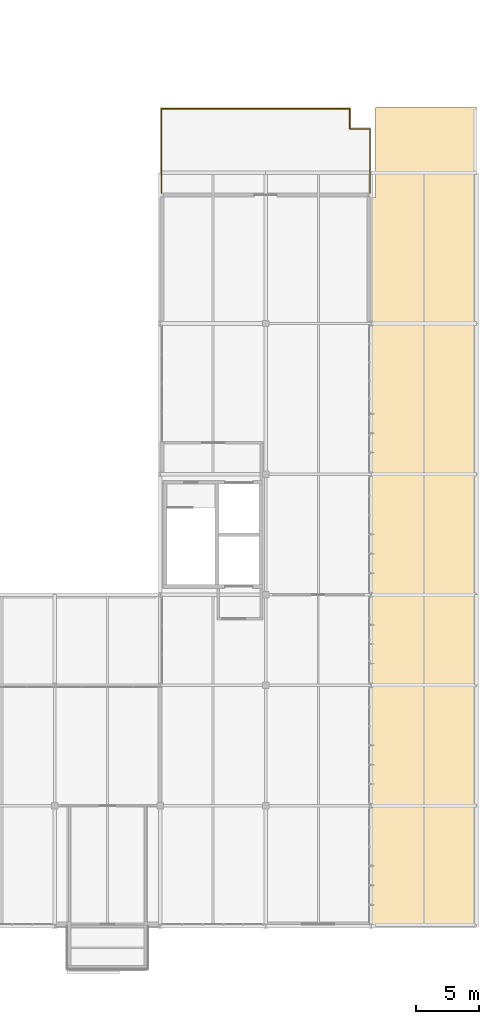
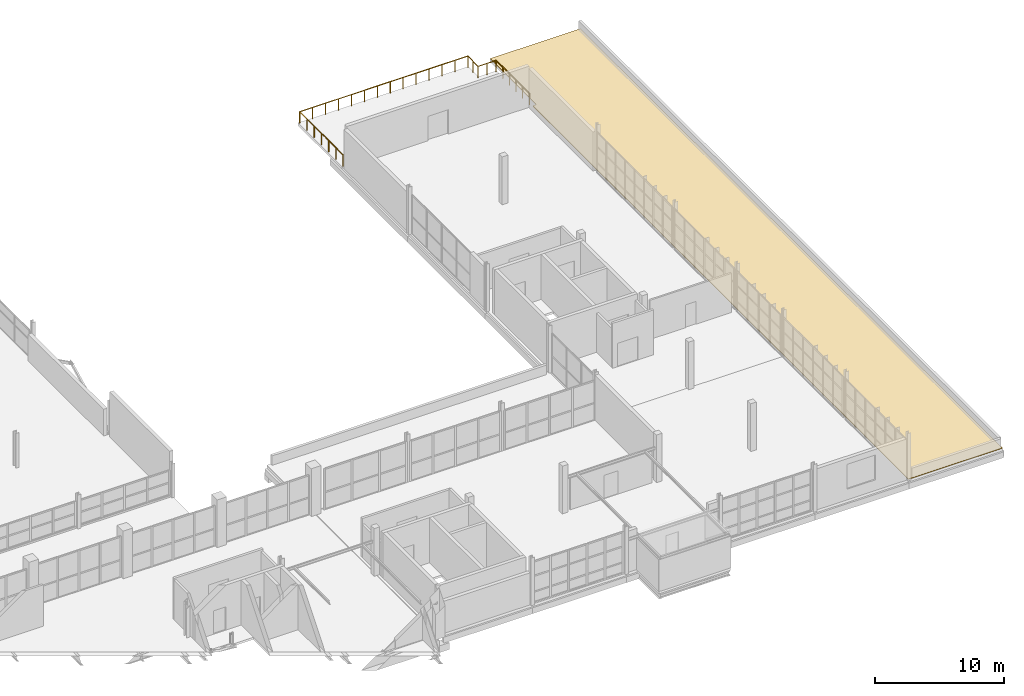
# One storey, part 103 of 103: 1 covering, 1 railing.
"""IFC4 building model written with IfcOpenShell, lengths in metres."""

import ifcopenshell
import ifcopenshell.guid

model = None  # the IFC model being written
_history = None  # IfcOwnerHistory: only IFC2X3 demands one
_inside = {}  # id of a spatial element -> (the spatial element, [elements in it])
_under = {}  # id of a project, library or spatial element -> (it, [spatial elements below it])
_declared = {}  # id of a project -> (the project, [libraries it declares])
_typed = {}  # id of a type object -> (the type object, [elements of that type])
_made_of = {}  # id of a material, layer set ... -> (it, [elements and type objects made of it])


def new_model(schema):
    """Start an empty IFC model of exactly this schema.

    Asked for "IFC4X3", IfcOpenShell would pick the latest addendum, in which some entities
    have other attributes; the version numbers below select the first issue.
    IFC2X3 requires an IfcOwnerHistory on every rooted entity: one is made here for all.
    """
    global model, _history
    if schema == "IFC4X3":
        model = ifcopenshell.file(schema_version=(4, 3, 0, 0))
    else:
        model = ifcopenshell.file(schema=schema)
    _inside.clear()
    _under.clear()
    _declared.clear()
    _typed.clear()
    _made_of.clear()
    _history = None
    if model.schema == "IFC2X3":
        org = make("IfcOrganization", Name="unknown")
        user = make(
            "IfcPersonAndOrganization",
            ThePerson=make("IfcPerson", FamilyName="unknown"),
            TheOrganization=org,
        )
        app = make(
            "IfcApplication",
            ApplicationDeveloper=org,
            Version="unknown",
            ApplicationFullName="unknown",
            ApplicationIdentifier="unknown",
        )
        _history = make(
            "IfcOwnerHistory",
            OwningUser=user,
            OwningApplication=app,
            ChangeAction="ADDED",
            CreationDate=0,
        )
    return model


def make(cls, **values):
    """One entity of the class cls with the attributes given. An attribute that is None is left unset."""
    return model.create_entity(
        cls, **{name: value for name, value in values.items() if value is not None}
    )


def rooted(cls, **values):
    """An entity with a GlobalId (a new one), such as an element, a storey or a relation."""
    return make(cls, GlobalId=ifcopenshell.guid.new(), OwnerHistory=_history, **values)


def si_unit(unit_type, name, prefix=None):
    """IfcSIUnit, for example si_unit("LENGTHUNIT", "METRE", prefix="MILLI")."""
    return make("IfcSIUnit", UnitType=unit_type, Prefix=prefix, Name=name)


def assignment(units):
    """IfcUnitAssignment: the units of a project."""
    return None if units is None else make("IfcUnitAssignment", Units=units)


def point(xyz):
    """IfcCartesianPoint."""
    return None if xyz is None else make("IfcCartesianPoint", Coordinates=xyz)


def direction(xyz):
    """IfcDirection."""
    return None if xyz is None else make("IfcDirection", DirectionRatios=xyz)


def frame(location, z_axis=None, x_axis=None):
    """IfcAxis2Placement3D, a coordinate frame: its origin and axes. An axis left out is left unset."""
    return make(
        "IfcAxis2Placement3D",
        Location=point(location),
        Axis=direction(z_axis),
        RefDirection=direction(x_axis),
    )


def frame_2d(location, x_axis=None):
    """IfcAxis2Placement2D, a coordinate frame in the plane: its origin and x axis."""
    return make(
        "IfcAxis2Placement2D", Location=point(location), RefDirection=direction(x_axis)
    )


def origin():
    """The frame at (0, 0, 0) with its axes left unset."""
    return frame((0.0, 0.0, 0.0))


def origin_2d():
    """The frame at (0, 0) in the plane with its x axis left unset."""
    return frame_2d((0.0, 0.0))


def place(relative_to, where):
    """IfcLocalPlacement: puts the frame where relative to a parent placement (None: the world)."""
    return make(
        "IfcLocalPlacement", PlacementRelTo=relative_to, RelativePlacement=where
    )


def context(
    kind, dimensions, precision=None, world=None, true_north=None, identifier=None
):
    """IfcGeometricRepresentationContext, for example the 3D "Model" context."""
    return make(
        "IfcGeometricRepresentationContext",
        ContextIdentifier=identifier,
        ContextType=kind,
        CoordinateSpaceDimension=dimensions,
        Precision=precision,
        WorldCoordinateSystem=world,
        TrueNorth=true_north,
    )


def subcontext(parent, identifier, kind, view, scale=None):
    """IfcGeometricRepresentationSubContext, for example "Body" below "Model"."""
    return make(
        "IfcGeometricRepresentationSubContext",
        ContextIdentifier=identifier,
        ContextType=kind,
        ParentContext=parent,
        TargetScale=scale,
        TargetView=view,
    )


def project(units=None, contexts=None):
    """IfcProject with its units and contexts."""
    return rooted(
        "IfcProject",
        Name="project",
        RepresentationContexts=contexts,
        UnitsInContext=assignment(units),
    )


def spatial(cls, under=None, at=None, **own):
    """A site, building, storey or space (cls), placed at a placement, below another one or the project."""
    s = rooted(cls, ObjectPlacement=at, **own)
    if under is not None:
        _under.setdefault(under.id(), (under, []))[1].append(s)
    return s


def polyline(points):
    """IfcPolyline through the points."""
    return make("IfcPolyline", Points=[point(p) for p in points])


def profile(cls, at=None, kind="AREA", **sizes):
    """A parametric profile (cls). Its sizes go by their IFC names, for example OverallWidth=200.0."""
    return make(cls, ProfileType=kind, Position=at, **sizes)


def circle(**sizes):
    """IfcCircleProfileDef."""
    return profile("IfcCircleProfileDef", **sizes)


def outline(outer, holes=None, kind="AREA"):
    """IfcArbitraryClosedProfileDef: a profile drawn as a closed curve; with holes, ...WithVoids."""
    if holes is None:
        return make("IfcArbitraryClosedProfileDef", ProfileType=kind, OuterCurve=outer)
    return make(
        "IfcArbitraryProfileDefWithVoids",
        ProfileType=kind,
        OuterCurve=outer,
        InnerCurves=holes,
    )


def extrude(swept, where, along, depth):
    """IfcExtrudedAreaSolid: the profile swept, set in the frame where, extruded along a direction by depth."""
    return make(
        "IfcExtrudedAreaSolid",
        SweptArea=swept,
        Position=where,
        ExtrudedDirection=direction(along),
        Depth=depth,
    )


def shape(context_of_items, identifier, shape_type, items):
    """IfcShapeRepresentation: the items that make up one representation, for example the "Body"."""
    return make(
        "IfcShapeRepresentation",
        ContextOfItems=context_of_items,
        RepresentationIdentifier=identifier,
        RepresentationType=shape_type,
        Items=items,
    )


def material(Name=None, Category=None):
    """IfcMaterial."""
    return make("IfcMaterial", Name=Name, Category=Category)


def layer(
    of_material, thickness, ventilated=None, Name=None, Category=None, Priority=None
):
    """IfcMaterialLayer: one layer of a wall or slab, of a material (None: an air gap)."""
    return make(
        "IfcMaterialLayer",
        Material=of_material,
        LayerThickness=thickness,
        IsVentilated=ventilated,
        Name=Name,
        Category=Category,
        Priority=Priority,
    )


def layer_set(layers, Name=None):
    """IfcMaterialLayerSet."""
    return make("IfcMaterialLayerSet", MaterialLayers=layers, LayerSetName=Name)


def made_of(thing, what):
    """Note that an element or type object is made of a material, layer set ...; save() writes the relation."""
    if what is not None:
        _made_of.setdefault(what.id(), (what, []))[1].append(thing)
    return thing


def type_object(cls, material=None, **own):
    """A type object (cls), such as IfcWallType, which elements share."""
    return made_of(rooted(cls, **own), material)


def element(
    cls,
    number,
    at=None,
    inside=None,
    cuts=None,
    type_object=None,
    material=None,
    context=None,
    identifier="Body",
    shape_type=None,
    held_by="IfcProductDefinitionShape",
    body=None,
    shapes=None,
    **own,
):
    """One element of the class cls, such as IfcWall. Its Tag is "e" and its number.

    at: its placement. inside: the storey or other place that contains it. cuts: it is an
    opening in that element (IfcRelVoidsElement). A single representation is given by context,
    identifier, shape_type and body (its items); several are given by shapes. held_by: the class
    of the entity that holds the representations. save() writes the other relations.
    """
    e = rooted(cls, Tag="e%d" % number, ObjectPlacement=at, **own)
    if body is not None:
        shapes = [shape(context, identifier, shape_type, body)]
    if shapes is not None:
        e.Representation = make(held_by, Representations=shapes)
    if inside is not None:
        _inside.setdefault(inside.id(), (inside, []))[1].append(e)
    if cuts is not None:
        rooted(
            "IfcRelVoidsElement", RelatingBuildingElement=cuts, RelatedOpeningElement=e
        )
    if type_object is not None:
        _typed.setdefault(type_object.id(), (type_object, []))[1].append(e)
    return made_of(e, material)


def aggregate(whole, parts):
    """IfcRelAggregates: a whole, such as a stair, and the parts it consists of."""
    return rooted("IfcRelAggregates", RelatingObject=whole, RelatedObjects=parts)


def save(model, path):
    """Write the relations noted so far, then the file.

    IfcRelAggregates (storeys below a building ...), IfcRelContainedInSpatialStructure (elements
    in a storey), IfcRelDefinesByType, IfcRelAssociatesMaterial and IfcRelDeclares: one each for
    every whole, place, type object, material and project.
    """
    for whole, parts in _under.values():
        aggregate(whole, parts)
    for where, things in _inside.values():
        rooted(
            "IfcRelContainedInSpatialStructure",
            RelatedElements=things,
            RelatingStructure=where,
        )
    for kind, things in _typed.values():
        rooted("IfcRelDefinesByType", RelatedObjects=things, RelatingType=kind)
    for what, things in _made_of.values():
        rooted("IfcRelAssociatesMaterial", RelatedObjects=things, RelatingMaterial=what)
    for by, libraries in _declared.values():
        rooted("IfcRelDeclares", RelatingContext=by, RelatedDefinitions=libraries)
    model.write(path)


model = new_model("IFC4")

# Units and contexts
model_context = context("Model", 3, precision=1e-05, world=origin(), true_north=direction((0.0, 1.0)))
body_context = subcontext(model_context, "Body", "Model", "MODEL_VIEW")
ifc_project = project(units=[si_unit("LENGTHUNIT", "METRE"), si_unit("AREAUNIT", "SQUARE_METRE"), si_unit("VOLUMEUNIT", "CUBIC_METRE"), si_unit("PLANEANGLEUNIT", "RADIAN"), si_unit("MASSUNIT", "GRAM", prefix="KILO")], contexts=[model_context])

# Site, building, storey
site_placement = place(None, origin())
site = spatial("IfcSite", under=ifc_project, at=site_placement, CompositionType="ELEMENT")
building_placement = place(site_placement, origin())
building = spatial("IfcBuilding", under=site, at=building_placement, Name="Veltarok Museum of Natural Sciences", CompositionType="ELEMENT")
storey_placement = place(building_placement, frame((0.0, 0.0, 21.89990234375)))
storey = spatial("IfcBuildingStorey", under=building, at=storey_placement, Name="L04", CompositionType="ELEMENT", Elevation=21.89990234375)

# Covering
ifc_material_1 = material(Name="EPDM waterproofing membrane")
ifc_layer = layer(ifc_material_1, 0.06005859375)
ifc_layer_set = layer_set([ifc_layer], Name="EPDM waterproofing membrane")
covering_type = type_object("IfcCoveringType", Name="EPDM Waterproofing and Acoustic Roof Membrane 60", PredefinedType="ROOFING", material=ifc_layer_set)
covering_placement = place(storey_placement, origin())
element("IfcCovering", 1, at=covering_placement, inside=storey, type_object=covering_type, Name="Roof Waterproofing RF-V5E", PredefinedType="ROOFING", context=body_context, shape_type="SweptSolid", body=[
    extrude(outline(polyline([(157.60009765625, 0.0), (149.219970703125, 0.0), (149.219970703125, 58.050048828125), (149.550048828125, 58.050048828125), (149.550048828125, 65.199951171875), (157.60009765625, 65.199951171875), (157.60009765625, 0.0)])), origin(), (0.0, 0.0, 1.0), 0.06005859375),
])

# Railing
ifc_material_2 = material(Name="Steel S355J2", Category="steel")
railing_type = type_object("IfcRailingType", Name="Outdoor Terrace Steel and Laminated Glass Guardrail 1100", PredefinedType="GUARDRAIL", material=ifc_material_2)
railing_placement = place(storey_placement, frame((132.5, 58.3798828125, 0.0)))
element("IfcRailing", 2, at=railing_placement, inside=storey, type_object=railing_type, Name="Terrace Guardrail TER-L04-N1", PredefinedType="GUARDRAIL", context=body_context, shape_type="SweptSolid", body=[
    extrude(circle(Radius=0.02490234375, at=origin_2d()), frame((0.0, 0.0, 1.0751953125), z_axis=(0.0, 1.0, 0.0), x_axis=(-1.0, 0.0, 0.0)), (0.0, 0.0, 1.0), 6.72021484375),
    extrude(circle(Radius=0.02490234375, at=origin_2d()), frame((0.0, 6.72021484375, 1.0751953125), z_axis=(1.0, 0.0, 0.0), x_axis=(0.0, 1.0, 0.0)), (0.0, 0.0, 1.0), 15.0),
    extrude(circle(Radius=0.02490234375, at=origin_2d()), frame((15.0, 6.72021484375, 1.0751953125), z_axis=(0.0, -1.0, 0.0), x_axis=(1.0, 0.0, 0.0)), (0.0, 0.0, 1.0), 1.60009765625),
    extrude(circle(Radius=0.02490234375, at=origin_2d()), frame((15.0, 5.1201171875, 1.0751953125), z_axis=(1.0, 0.0, 0.0), x_axis=(0.0, 1.0, 0.0)), (0.0, 0.0, 1.0), 1.60009765625),
    extrude(circle(Radius=0.02490234375, at=origin_2d()), frame((16.60009765625, 5.1201171875, 1.0751953125), z_axis=(0.0, -1.0, 0.0), x_axis=(1.0, 0.0, 0.0)), (0.0, 0.0, 1.0), 5.1201171875),
    extrude(circle(Radius=0.02099609375, at=origin_2d()), origin(), (0.0, 0.0, 1.0), 1.050048828125),
    extrude(circle(Radius=0.02099609375, at=origin_2d()), frame((0.0, 1.1201171875, 0.0)), (0.0, 0.0, 1.0), 1.050048828125),
    extrude(circle(Radius=0.02099609375, at=origin_2d()), frame((0.0, 2.239990234375, 0.0)), (0.0, 0.0, 1.0), 1.050048828125),
    extrude(circle(Radius=0.02099609375, at=origin_2d()), frame((0.0, 3.360107421875, 0.0)), (0.0, 0.0, 1.0), 1.050048828125),
    extrude(circle(Radius=0.02099609375, at=origin_2d()), frame((0.0, 4.480224609375, 0.0)), (0.0, 0.0, 1.0), 1.050048828125),
    extrude(circle(Radius=0.02099609375, at=origin_2d()), frame((0.0, 5.60009765625, 0.0)), (0.0, 0.0, 1.0), 1.050048828125),
    extrude(circle(Radius=0.02099609375, at=origin_2d()), frame((0.0, 6.72021484375, 0.0)), (0.0, 0.0, 1.0), 1.050048828125),
    extrude(circle(Radius=0.02099609375, at=origin_2d()), frame((1.15380859375, 6.72021484375, 0.0)), (0.0, 0.0, 1.0), 1.050048828125),
    extrude(circle(Radius=0.02099609375, at=origin_2d()), frame((2.3076171875, 6.72021484375, 0.0)), (0.0, 0.0, 1.0), 1.050048828125),
    extrude(circle(Radius=0.02099609375, at=origin_2d()), frame((3.46142578125, 6.72021484375, 0.0)), (0.0, 0.0, 1.0), 1.050048828125),
    extrude(circle(Radius=0.02099609375, at=origin_2d()), frame((4.615478515625, 6.72021484375, 0.0)), (0.0, 0.0, 1.0), 1.050048828125),
    extrude(circle(Radius=0.02099609375, at=origin_2d()), frame((5.769287109375, 6.72021484375, 0.0)), (0.0, 0.0, 1.0), 1.050048828125),
    extrude(circle(Radius=0.02099609375, at=origin_2d()), frame((6.923095703125, 6.72021484375, 0.0)), (0.0, 0.0, 1.0), 1.050048828125),
    extrude(circle(Radius=0.02099609375, at=origin_2d()), frame((8.076904296875, 6.72021484375, 0.0)), (0.0, 0.0, 1.0), 1.050048828125),
    extrude(circle(Radius=0.02099609375, at=origin_2d()), frame((9.230712890625, 6.72021484375, 0.0)), (0.0, 0.0, 1.0), 1.050048828125),
    extrude(circle(Radius=0.02099609375, at=origin_2d()), frame((10.384521484375, 6.72021484375, 0.0)), (0.0, 0.0, 1.0), 1.050048828125),
    extrude(circle(Radius=0.02099609375, at=origin_2d()), frame((11.53857421875, 6.72021484375, 0.0)), (0.0, 0.0, 1.0), 1.050048828125),
    extrude(circle(Radius=0.02099609375, at=origin_2d()), frame((12.6923828125, 6.72021484375, 0.0)), (0.0, 0.0, 1.0), 1.050048828125),
    extrude(circle(Radius=0.02099609375, at=origin_2d()), frame((13.84619140625, 6.72021484375, 0.0)), (0.0, 0.0, 1.0), 1.050048828125),
    extrude(circle(Radius=0.02099609375, at=origin_2d()), frame((15.0, 6.72021484375, 0.0)), (0.0, 0.0, 1.0), 1.050048828125),
    extrude(circle(Radius=0.02099609375, at=origin_2d()), frame((15.0, 5.920166015625, 0.0)), (0.0, 0.0, 1.0), 1.050048828125),
    extrude(circle(Radius=0.02099609375, at=origin_2d()), frame((15.0, 5.1201171875, 0.0)), (0.0, 0.0, 1.0), 1.050048828125),
    extrude(circle(Radius=0.02099609375, at=origin_2d()), frame((15.800048828125, 5.1201171875, 0.0)), (0.0, 0.0, 1.0), 1.050048828125),
    extrude(circle(Radius=0.02099609375, at=origin_2d()), frame((16.60009765625, 5.1201171875, 0.0)), (0.0, 0.0, 1.0), 1.050048828125),
    extrude(circle(Radius=0.02099609375, at=origin_2d()), frame((16.60009765625, 4.09619140625, 0.0)), (0.0, 0.0, 1.0), 1.050048828125),
    extrude(circle(Radius=0.02099609375, at=origin_2d()), frame((16.60009765625, 3.072021484375, 0.0)), (0.0, 0.0, 1.0), 1.050048828125),
    extrude(circle(Radius=0.02099609375, at=origin_2d()), frame((16.60009765625, 2.048095703125, 0.0)), (0.0, 0.0, 1.0), 1.050048828125),
    extrude(circle(Radius=0.02099609375, at=origin_2d()), frame((16.60009765625, 1.02392578125, 0.0)), (0.0, 0.0, 1.0), 1.050048828125),
    extrude(circle(Radius=0.02099609375, at=origin_2d()), frame((16.60009765625, 0.0, 0.0)), (0.0, 0.0, 1.0), 1.050048828125),
])

save(model, "model.ifc")
